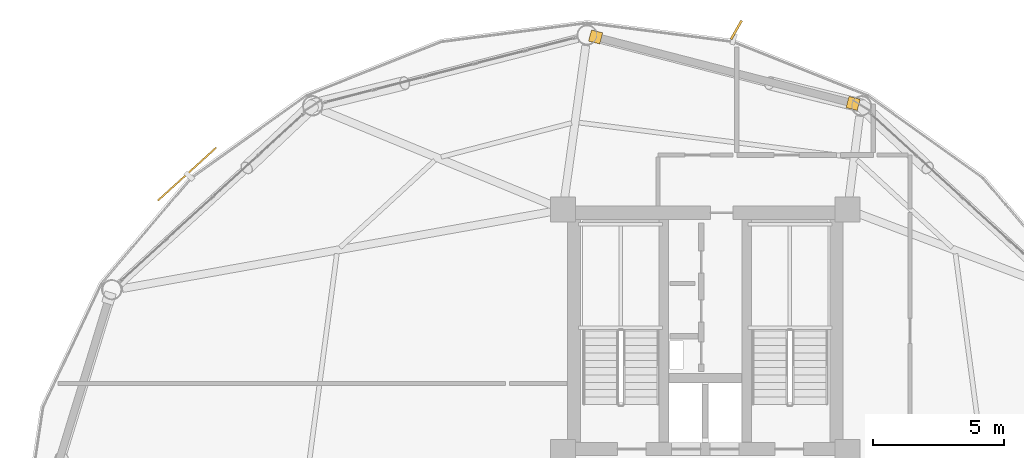
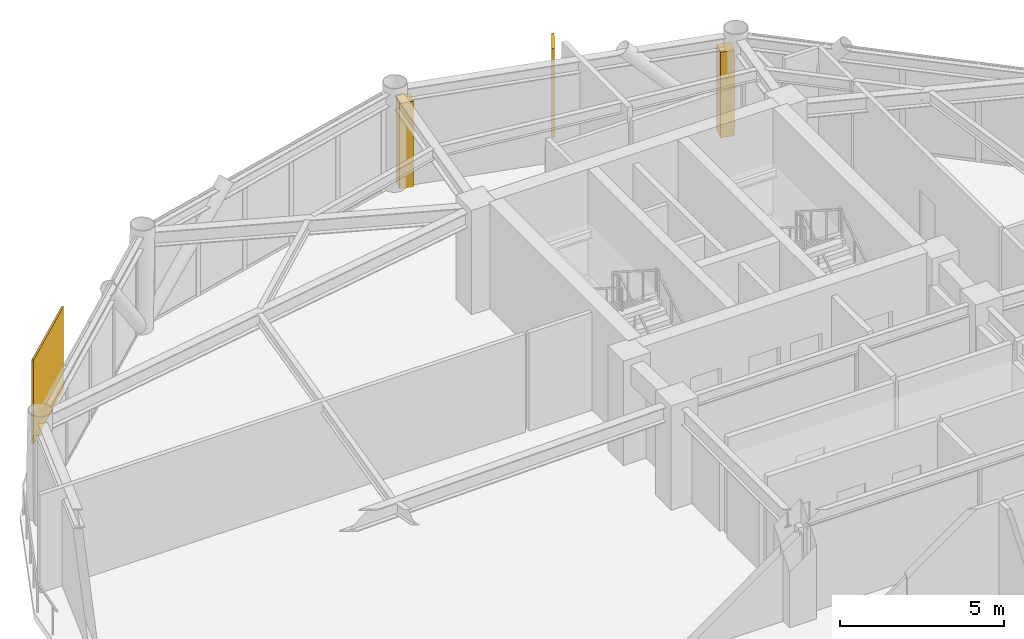
# One storey, part 27 of 27: 2 coverings, 2 shading devices.
"""IFC4 building model written with IfcOpenShell, lengths in metres."""

from ifc_helpers import new_model, si_unit, direction, frame, origin, origin_2d, place, context, subcontext, project, spatial, rectangle, extrude, source, transform, mapped, material, layer, layer_set, type_object, type_shapes, element, save


model = new_model("IFC4")

# Units and contexts
model_context = context("Model", 3, precision=1e-05, world=origin(), true_north=direction((0.0, 1.0)))
body_context = subcontext(model_context, "Body", "Model", "MODEL_VIEW")
ifc_project = project(units=[si_unit("LENGTHUNIT", "METRE"), si_unit("AREAUNIT", "SQUARE_METRE"), si_unit("VOLUMEUNIT", "CUBIC_METRE"), si_unit("PLANEANGLEUNIT", "RADIAN"), si_unit("MASSUNIT", "GRAM", prefix="KILO")], contexts=[model_context])

# Site, building, storey
site_placement = place(None, origin())
site = spatial("IfcSite", under=ifc_project, at=site_placement, CompositionType="ELEMENT")
building_placement = place(site_placement, origin())
building = spatial("IfcBuilding", under=site, at=building_placement, Name="Varnakorn Sky Granary", CompositionType="ELEMENT")
storey_placement = place(building_placement, frame((0.0, 0.0, 134.39990234375)))
storey = spatial("IfcBuildingStorey", under=building, at=storey_placement, Name="L33", CompositionType="ELEMENT", Elevation=134.39990234375)

# Shading devices
ifc_material = material(Name="Anodised Bronze Aluminium Alloy 6063-T6", Category="aluminium")
shading_device_type_1 = type_object("IfcShadingDeviceType", Name="SH-SCR-02", PredefinedType="USERDEFINED", material=ifc_material)
shared_shape_1 = source(origin(), body_context, "Body", "SweptSolid", [
    extrude(rectangle(XDim=3.0, YDim=0.06494140625, at=origin_2d()), origin(), (0.0, 0.0, 1.0), 3.10009765625),
])
type_shapes(shading_device_type_1, [shared_shape_1])
shading_device_1_placement = place(storey_placement, frame((-16.73828125, 13.97119140625, -0.0400390625), z_axis=(0.0, 0.0, 1.0), x_axis=(-0.740409014995, -0.67215659672, 0.0)))
element("IfcShadingDevice", 1, at=shading_device_1_placement, inside=storey, type_object=shading_device_type_1, Name="Perforated Bronze Solar Screen Panel SCREEN L33-05", ObjectType="SCREEN", PredefinedType="USERDEFINED", context=body_context, shape_type="MappedRepresentation", body=[
    mapped(shared_shape_1, transform((0.0, 0.0, 0.0), x_axis=(1.0, 0.0, 0.0), y_axis=(0.0, 1.0, 0.0), z_axis=(0.0, 0.0, 1.0), scale=1.0)),
])
shading_device_type_2 = type_object("IfcShadingDeviceType", Name="SH-FIN-02", PredefinedType="USERDEFINED", material=ifc_material)
shared_shape_2 = source(origin(), body_context, "Body", "SweptSolid", [
    extrude(rectangle(XDim=0.0849609375, YDim=0.820068359375, at=origin_2d()), origin(), (0.0, 0.0, 1.0), 3.300048828125),
])
type_shapes(shading_device_type_2, [shared_shape_2])
shading_device_2_placement = place(storey_placement, frame((4.185302734375, 19.46435546875, -0.0400390625), z_axis=(0.0, 0.0, 1.0), x_axis=(-0.868053845403, 0.496470061011, 0.0)))
element("IfcShadingDevice", 2, at=shading_device_2_placement, inside=storey, type_object=shading_device_type_2, Name="Bronze Solar-Tracking Vertical Blade FIN L33-03", ObjectType="FIN", PredefinedType="USERDEFINED", context=body_context, shape_type="MappedRepresentation", body=[
    mapped(shared_shape_2, transform((0.0, 0.0, 0.0), x_axis=(1.0, 0.0, 0.0), y_axis=(0.0, 1.0, 0.0), z_axis=(0.0, 0.0, 1.0), scale=1.0)),
])

# Coverings
ifc_layer = layer(ifc_material, 0.050048828125, Name="Anodised Bronze Aluminium Alloy 6063-T6")
ifc_layer_set = layer_set([ifc_layer], Name="Anodised Bronze Aluminium Alloy 6063-T6")
covering_type = type_object("IfcCoveringType", Name="CV-CLAD-50", PredefinedType="CLADDING", material=ifc_layer_set)
shared_shape_3 = source(origin(), body_context, "Body", "SweptSolid", [
    extrude(rectangle(XDim=0.43994140625, YDim=0.43994140625, at=origin_2d()), origin(), (0.0, 0.0, 1.0), 3.179931640625),
])
type_shapes(covering_type, [shared_shape_3])
for number, where, z_axis, x_axis, name in (
    (3, (-1.1748046875, 19.195068359375, -0.02001953125), (0.0, 0.0, 1.0), (0.968234980502, -0.250042041528, 0.0), "Bronze Corner Pilaster Closure L33-P03-A"),
    (4, (8.632080078125, 16.6630859375, -0.02001953125), (0.0, 0.0, 1.0), (0.968234980502, -0.250042041528, 0.0), "Bronze Corner Pilaster Closure L33-P03-B"),
):
    element("IfcCovering", number, at=place(storey_placement, frame(where, z_axis=z_axis, x_axis=x_axis)), inside=storey, type_object=covering_type, Name=name, PredefinedType="CLADDING", context=body_context, shape_type="MappedRepresentation", body=[
        mapped(shared_shape_3, transform((0.0, 0.0, 0.0), x_axis=(1.0, 0.0, 0.0), y_axis=(0.0, 1.0, 0.0), z_axis=(0.0, 0.0, 1.0), scale=1.0)),
    ])

save(model, "model.ifc")
